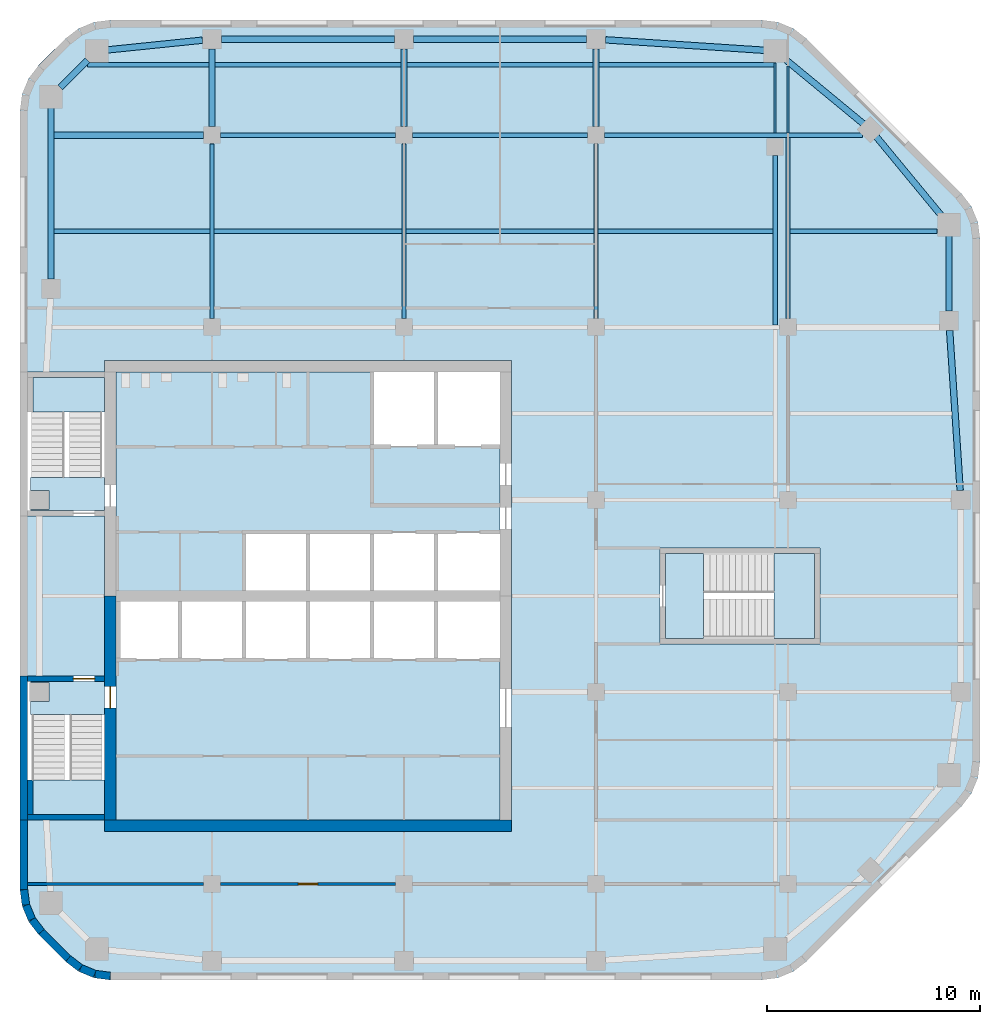
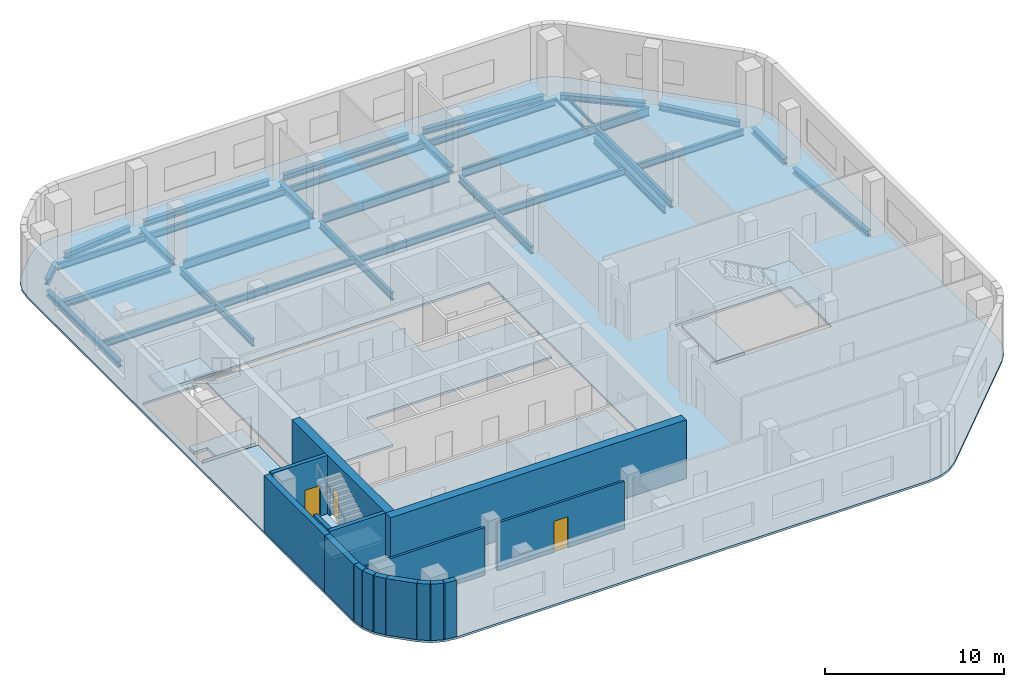
# One storey, part 2 of 8: 33 beams, 16 walls, 9 slabs, 3 doors, 3 openings, 3 elements without a shape of their own.
"""IFC4 building model written with IfcOpenShell, lengths in metres."""

from ifc_helpers import new_model, si_unit, direction, frame, frame_2d, origin, origin_2d, place, context, subcontext, project, spatial, polyline, rectangle, i_section, outline, extrude, material, layer, layer_set, material_profile, profile_set, type_object, element, fill, aggregate, save


model = new_model("IFC4")

# Units and contexts
model_context = context("Model", 3, precision=1e-05, world=origin(), true_north=direction((0.0, 1.0)))
body_context = subcontext(model_context, "Body", "Model", "MODEL_VIEW")
ifc_project = project(units=[si_unit("LENGTHUNIT", "METRE"), si_unit("AREAUNIT", "SQUARE_METRE"), si_unit("VOLUMEUNIT", "CUBIC_METRE"), si_unit("PLANEANGLEUNIT", "RADIAN"), si_unit("MASSUNIT", "GRAM", prefix="KILO")], contexts=[model_context])

# Site, building, storey
site_placement = place(None, origin())
site = spatial("IfcSite", under=ifc_project, at=site_placement, CompositionType="ELEMENT")
building_placement = place(site_placement, origin())
building = spatial("IfcBuilding", under=site, at=building_placement, Name="Cinnabar Reach Civic Tower", CompositionType="ELEMENT")
storey_placement = place(building_placement, frame((0.0, 0.0, 206.0)))
storey = spatial("IfcBuildingStorey", under=building, at=storey_placement, Name="L49", CompositionType="ELEMENT", Elevation=206.0)

# Beams
ifc_material_1 = material(Name="Steel Q355B", Category="steel")
ifc_material_profile_1 = material_profile(ifc_material_1, i_section(OverallWidth=0.3, OverallDepth=0.39, WebThickness=0.01, FlangeThickness=0.016, FilletRadius=0.013, at=origin_2d()), Name="HM390x300x10x16")
ifc_profile_set_1 = profile_set([ifc_material_profile_1], Name="Steel Q355B")
beam_type_1 = type_object("IfcBeamType", Name="HM390x300x10x16 beam R 180", PredefinedType="BEAM", material=ifc_profile_set_1)
beam_1_placement = place(storey_placement, frame((44.0702, 36.452, -0.345), z_axis=(-0.065709484267, 0.997838796438, 0.0), x_axis=(-0.997838796438, -0.065709484267, 0.0)))
element("IfcBeam", 1, at=beam_1_placement, inside=storey, type_object=beam_type_1, Name="Edge beam T1 L49 9", PredefinedType="BEAM", context=body_context, shape_type="SweptSolid", body=[
    extrude(i_section(OverallWidth=0.3, OverallDepth=0.39, WebThickness=0.01, FlangeThickness=0.016, FilletRadius=0.013, at=origin_2d()), origin(), (0.0, 0.0, 1.0), 7.5103),
])
beam_2_placement = place(storey_placement, frame((43.5469, 44.8501, -0.345), z_axis=(0.0, 1.0, 0.0), x_axis=(-1.0, 0.0, 0.0)))
element("IfcBeam", 2, at=beam_2_placement, inside=storey, type_object=beam_type_1, Name="Edge beam T1 L49 10", PredefinedType="BEAM", context=body_context, shape_type="SweptSolid", body=[
    extrude(i_section(OverallWidth=0.3, OverallDepth=0.39, WebThickness=0.01, FlangeThickness=0.016, FilletRadius=0.013, at=origin_2d()), origin(), (0.0, 0.0, 1.0), 3.616),
])
for number, where, z_axis, x_axis, name in (
    (3, (43.1906, 49.3301, -0.345), (-0.63630880182, 0.771434448755, 0.0), (-0.771434448755, -0.63630880182, 0.0), "Edge beam T1 L49 11"),
    (4, (39.5598, 53.6142, -0.345), (-0.771434448755, 0.63630880182, 0.0), (-0.63630880182, -0.771434448755, 0.0), "Edge beam T1 L49 12"),
):
    element("IfcBeam", number, at=place(storey_placement, frame(where, z_axis=z_axis, x_axis=x_axis)), inside=storey, type_object=beam_type_1, Name=name, PredefinedType="BEAM", context=body_context, shape_type="SweptSolid", body=[
        extrude(i_section(OverallWidth=0.3, OverallDepth=0.39, WebThickness=0.01, FlangeThickness=0.016, FilletRadius=0.013, at=origin_2d()), origin(), (0.0, 0.0, 1.0), 4.8348),
    ])
beam_3_placement = place(storey_placement, frame((34.9661, 57.0754, -0.345), z_axis=(-0.99783894477, 0.065707231721, 0.0), x_axis=(-0.065707231721, -0.99783894477, 0.0)))
element("IfcBeam", 5, at=beam_3_placement, inside=storey, type_object=beam_type_1, Name="Edge beam T1 L49 13", PredefinedType="BEAM", context=body_context, shape_type="SweptSolid", body=[
    extrude(i_section(OverallWidth=0.3, OverallDepth=0.39, WebThickness=0.01, FlangeThickness=0.016, FilletRadius=0.013, at=origin_2d()), origin(), (0.0, 0.0, 1.0), 7.5304),
])
for number, where, z_axis, x_axis, name in (
    (6, (26.548, 57.6, -0.345), (-1.0, 0.0, 0.0), (0.0, -1.0, 0.0), "Edge beam T1 L49 14"),
    (7, (17.548, 57.6, -0.345), (-1.0, 0.0, 0.0), (0.0, -1.0, 0.0), "Edge beam T1 L49 15"),
):
    element("IfcBeam", number, at=place(storey_placement, frame(where, z_axis=z_axis, x_axis=x_axis)), inside=storey, type_object=beam_type_1, Name=name, PredefinedType="BEAM", context=body_context, shape_type="SweptSolid", body=[
        extrude(i_section(OverallWidth=0.3, OverallDepth=0.39, WebThickness=0.01, FlangeThickness=0.016, FilletRadius=0.013, at=origin_2d()), origin(), (0.0, 0.0, 1.0), 8.096),
    ])
beam_4_placement = place(storey_placement, frame((8.548, 57.5537, -0.345), z_axis=(-0.994792272495, -0.101923179821, 0.0), x_axis=(0.101923179821, -0.994792272495, 0.0)))
element("IfcBeam", 8, at=beam_4_placement, inside=storey, type_object=beam_type_1, Name="Edge beam T1 L49 16", PredefinedType="BEAM", context=body_context, shape_type="SweptSolid", body=[
    extrude(i_section(OverallWidth=0.3, OverallDepth=0.39, WebThickness=0.01, FlangeThickness=0.016, FilletRadius=0.013, at=origin_2d()), origin(), (0.0, 0.0, 1.0), 4.5377),
])
beam_5_placement = place(storey_placement, frame((3.1699, 56.6149, -0.345), z_axis=(-0.707106781187, -0.707106781187, 0.0), x_axis=(0.707106781187, -0.707106781187, 0.0)))
element("IfcBeam", 9, at=beam_5_placement, inside=storey, type_object=beam_type_1, Name="Edge beam T1 L49 17", PredefinedType="BEAM", context=body_context, shape_type="SweptSolid", body=[
    extrude(i_section(OverallWidth=0.3, OverallDepth=0.39, WebThickness=0.01, FlangeThickness=0.016, FilletRadius=0.013, at=origin_2d()), origin(), (0.0, 0.0, 1.0), 1.817),
])
beam_6_placement = place(storey_placement, frame((1.4531, 54.4661, -0.345), z_axis=(0.0, -1.0, 0.0), x_axis=(1.0, 0.0, 0.0)))
element("IfcBeam", 10, at=beam_6_placement, inside=storey, type_object=beam_type_1, Name="Edge beam T1 L49 18", PredefinedType="BEAM", context=body_context, shape_type="SweptSolid", body=[
    extrude(i_section(OverallWidth=0.3, OverallDepth=0.39, WebThickness=0.01, FlangeThickness=0.016, FilletRadius=0.013, at=origin_2d()), origin(), (0.0, 0.0, 1.0), 8.116),
])
ifc_material_profile_2 = material_profile(ifc_material_1, i_section(OverallWidth=0.3, OverallDepth=0.44, WebThickness=0.011, FlangeThickness=0.018, FilletRadius=0.016, at=origin_2d()), Name="HM440x300x11x18")
ifc_profile_set_2 = profile_set([ifc_material_profile_2], Name="Steel Q355B")
beam_type_2 = type_object("IfcBeamType", Name="HM440x300x11x18 beam R 180", PredefinedType="BEAM", material=ifc_profile_set_2)
beam_7_placement = place(storey_placement, frame((1.6051, 53.1, -0.37), z_axis=(1.0, 0.0, 0.0), x_axis=(0.0, 1.0, 0.0)))
element("IfcBeam", 11, at=beam_7_placement, inside=storey, type_object=beam_type_2, Name="Girder T1 L49 17", PredefinedType="BEAM", context=body_context, shape_type="SweptSolid", body=[
    extrude(i_section(OverallWidth=0.3, OverallDepth=0.44, WebThickness=0.011, FlangeThickness=0.018, FilletRadius=0.016, at=origin_2d()), origin(), (0.0, 0.0, 1.0), 6.9929),
])
for number, where, z_axis, x_axis, name in (
    (12, (9.0, 53.502, -0.37), (0.0, 1.0, 0.0), (-1.0, 0.0, 0.0), "Girder T1 L49 5"),
    (13, (18.0, 53.502, -0.37), (0.0, 1.0, 0.0), (-1.0, 0.0, 0.0), "Girder T1 L49 10"),
    (14, (27.0, 53.502, -0.37), (0.0, 1.0, 0.0), (-1.0, 0.0, 0.0), "Girder T1 L49 16"),
):
    element("IfcBeam", number, at=place(storey_placement, frame(where, z_axis=z_axis, x_axis=x_axis)), inside=storey, type_object=beam_type_2, Name=name, PredefinedType="BEAM", context=body_context, shape_type="SweptSolid", body=[
        extrude(i_section(OverallWidth=0.3, OverallDepth=0.44, WebThickness=0.011, FlangeThickness=0.018, FilletRadius=0.016, at=origin_2d()), origin(), (0.0, 0.0, 1.0), 3.646),
    ])
ifc_material_profile_3 = material_profile(ifc_material_1, i_section(OverallWidth=0.099, OverallDepth=0.198, WebThickness=0.0045, FlangeThickness=0.007, FilletRadius=0.013, at=origin_2d()), Name="HN200x100x5.5x8")
ifc_profile_set_3 = profile_set([ifc_material_profile_3], Name="Steel Q355B")
beam_type_3 = type_object("IfcBeamType", Name="HN200x100x5.5x8 beam R 180", PredefinedType="BEAM", material=ifc_profile_set_3)
beam_8_placement = place(storey_placement, frame((35.3981, 53.2015, -0.249), z_axis=(0.0, 1.0, 0.0), x_axis=(-1.0, 0.0, 0.0)))
element("IfcBeam", 15, at=beam_8_placement, inside=storey, type_object=beam_type_3, Name="Girder T1 L49 23", PredefinedType="BEAM", context=body_context, shape_type="SweptSolid", body=[
    extrude(i_section(OverallWidth=0.099, OverallDepth=0.198, WebThickness=0.0045, FlangeThickness=0.007, FilletRadius=0.013, at=origin_2d()), origin(), (0.0, 0.0, 1.0), 3.2934),
])
beam_9_placement = place(storey_placement, frame((36.0, 53.2015, -0.249), z_axis=(0.0, 1.0, 0.0), x_axis=(-1.0, 0.0, 0.0)))
element("IfcBeam", 16, at=beam_9_placement, inside=storey, type_object=beam_type_3, Name="Girder T1 L49 30", PredefinedType="BEAM", context=body_context, shape_type="SweptSolid", body=[
    extrude(i_section(OverallWidth=0.099, OverallDepth=0.198, WebThickness=0.0045, FlangeThickness=0.007, FilletRadius=0.013, at=origin_2d()), origin(), (0.0, 0.0, 1.0), 3.1519),
])
ifc_material_profile_4 = material_profile(ifc_material_1, i_section(OverallWidth=0.199, OverallDepth=0.446, WebThickness=0.008, FlangeThickness=0.012, FilletRadius=0.016, at=origin_2d()), Name="HN446x199x8x12")
ifc_profile_set_4 = profile_set([ifc_material_profile_4], Name="Steel Q355B")
beam_type_4 = type_object("IfcBeamType", Name="HN446x199x8x12 beam R 180", PredefinedType="BEAM", material=ifc_profile_set_4)
beam_10_placement = place(storey_placement, frame((1.6051, 48.6, -0.373), z_axis=(1.0, 0.0, 0.0), x_axis=(0.0, 1.0, 0.0)))
element("IfcBeam", 17, at=beam_10_placement, inside=storey, type_object=beam_type_4, Name="Secondary beam T1 L49 11", PredefinedType="BEAM", context=body_context, shape_type="SweptSolid", body=[
    extrude(i_section(OverallWidth=0.199, OverallDepth=0.446, WebThickness=0.008, FlangeThickness=0.012, FilletRadius=0.016, at=origin_2d()), origin(), (0.0, 0.0, 1.0), 7.2929),
])
for number, where, z_axis, x_axis, name in (
    (18, (9.102, 48.6, -0.373), (1.0, 0.0, 0.0), (0.0, 1.0, 0.0), "Secondary beam T1 L49 12"),
    (19, (18.102, 48.6, -0.373), (1.0, 0.0, 0.0), (0.0, 1.0, 0.0), "Secondary beam T1 L49 13"),
):
    element("IfcBeam", number, at=place(storey_placement, frame(where, z_axis=z_axis, x_axis=x_axis)), inside=storey, type_object=beam_type_4, Name=name, PredefinedType="BEAM", context=body_context, shape_type="SweptSolid", body=[
        extrude(i_section(OverallWidth=0.199, OverallDepth=0.446, WebThickness=0.008, FlangeThickness=0.012, FilletRadius=0.016, at=origin_2d()), origin(), (0.0, 0.0, 1.0), 8.796),
    ])
beam_11_placement = place(storey_placement, frame((27.102, 48.6, -0.373), z_axis=(1.0, 0.0, 0.0), x_axis=(0.0, 1.0, 0.0)))
element("IfcBeam", 20, at=beam_11_placement, inside=storey, type_object=beam_type_4, Name="Secondary beam T1 L49 14", PredefinedType="BEAM", context=body_context, shape_type="SweptSolid", body=[
    extrude(i_section(OverallWidth=0.199, OverallDepth=0.446, WebThickness=0.008, FlangeThickness=0.012, FilletRadius=0.016, at=origin_2d()), origin(), (0.0, 0.0, 1.0), 8.1941),
])
beam_12_placement = place(storey_placement, frame((36.102, 48.6, -0.373), z_axis=(1.0, 0.0, 0.0), x_axis=(0.0, 1.0, 0.0)))
element("IfcBeam", 21, at=beam_12_placement, inside=storey, type_object=beam_type_4, Name="Secondary beam T1 L49 15", PredefinedType="BEAM", context=body_context, shape_type="SweptSolid", body=[
    extrude(i_section(OverallWidth=0.199, OverallDepth=0.446, WebThickness=0.008, FlangeThickness=0.012, FilletRadius=0.016, at=origin_2d()), origin(), (0.0, 0.0, 1.0), 6.8929),
])
beam_13_placement = place(storey_placement, frame((3.17, 56.4, -0.373), z_axis=(1.0, 0.0, 0.0), x_axis=(0.0, 1.0, 0.0)))
element("IfcBeam", 22, at=beam_13_placement, inside=storey, type_object=beam_type_4, Name="Secondary beam T1 L49 16", PredefinedType="BEAM", context=body_context, shape_type="SweptSolid", body=[
    extrude(i_section(OverallWidth=0.199, OverallDepth=0.446, WebThickness=0.008, FlangeThickness=0.012, FilletRadius=0.016, at=origin_2d()), origin(), (0.0, 0.0, 1.0), 5.678),
])
for number, where, z_axis, x_axis, name in (
    (23, (9.152, 56.4, -0.373), (1.0, 0.0, 0.0), (0.0, 1.0, 0.0), "Secondary beam T1 L49 17"),
    (24, (18.152, 56.4, -0.373), (1.0, 0.0, 0.0), (0.0, 1.0, 0.0), "Secondary beam T1 L49 18"),
):
    element("IfcBeam", number, at=place(storey_placement, frame(where, z_axis=z_axis, x_axis=x_axis)), inside=storey, type_object=beam_type_4, Name=name, PredefinedType="BEAM", context=body_context, shape_type="SweptSolid", body=[
        extrude(i_section(OverallWidth=0.199, OverallDepth=0.446, WebThickness=0.008, FlangeThickness=0.012, FilletRadius=0.016, at=origin_2d()), origin(), (0.0, 0.0, 1.0), 8.696),
    ])
beam_14_placement = place(storey_placement, frame((27.152, 56.4, -0.373), z_axis=(1.0, 0.0, 0.0), x_axis=(0.0, 1.0, 0.0)))
element("IfcBeam", 25, at=beam_14_placement, inside=storey, type_object=beam_type_4, Name="Secondary beam T1 L49 19", PredefinedType="BEAM", context=body_context, shape_type="SweptSolid", body=[
    extrude(i_section(OverallWidth=0.199, OverallDepth=0.446, WebThickness=0.008, FlangeThickness=0.012, FilletRadius=0.016, at=origin_2d()), origin(), (0.0, 0.0, 1.0), 8.1946),
])
ifc_material_profile_5 = material_profile(ifc_material_1, i_section(OverallWidth=0.2, OverallDepth=0.5, WebThickness=0.01, FlangeThickness=0.016, FilletRadius=0.016, at=origin_2d()), Name="HN500x200x10x16")
ifc_profile_set_5 = profile_set([ifc_material_profile_5], Name="Steel Q355B")
beam_type_5 = type_object("IfcBeamType", Name="HN500x200x10x16 beam R 180", PredefinedType="BEAM", material=ifc_profile_set_5)
for number, where, z_axis, x_axis, name in (
    (26, (9.0, 44.502, -0.4), (0.0, 1.0, 0.0), (-1.0, 0.0, 0.0), "Girder T1 L49 4"),
    (27, (18.0, 44.502, -0.4), (0.0, 1.0, 0.0), (-1.0, 0.0, 0.0), "Girder T1 L49 9"),
    (28, (27.0, 44.502, -0.4), (0.0, 1.0, 0.0), (-1.0, 0.0, 0.0), "Girder T1 L49 15"),
):
    element("IfcBeam", number, at=place(storey_placement, frame(where, z_axis=z_axis, x_axis=x_axis)), inside=storey, type_object=beam_type_5, Name=name, PredefinedType="BEAM", context=body_context, shape_type="SweptSolid", body=[
        extrude(i_section(OverallWidth=0.2, OverallDepth=0.5, WebThickness=0.01, FlangeThickness=0.016, FilletRadius=0.016, at=origin_2d()), origin(), (0.0, 0.0, 1.0), 8.196),
    ])
beam_15_placement = place(storey_placement, frame((35.3981, 44.2015, -0.4), z_axis=(0.0, 1.0, 0.0), x_axis=(-1.0, 0.0, 0.0)))
element("IfcBeam", 29, at=beam_15_placement, inside=storey, type_object=beam_type_5, Name="Girder T1 L49 22", PredefinedType="BEAM", context=body_context, shape_type="SweptSolid", body=[
    extrude(i_section(OverallWidth=0.2, OverallDepth=0.5, WebThickness=0.01, FlangeThickness=0.016, FilletRadius=0.016, at=origin_2d()), origin(), (0.0, 0.0, 1.0), 7.9434),
])
beam_16_placement = place(storey_placement, frame((36.0, 44.502, -0.4), z_axis=(0.0, 1.0, 0.0), x_axis=(-1.0, 0.0, 0.0)))
element("IfcBeam", 30, at=beam_16_placement, inside=storey, type_object=beam_type_5, Name="Girder T1 L49 29", PredefinedType="BEAM", context=body_context, shape_type="SweptSolid", body=[
    extrude(i_section(OverallWidth=0.2, OverallDepth=0.5, WebThickness=0.01, FlangeThickness=0.016, FilletRadius=0.016, at=origin_2d()), origin(), (0.0, 0.0, 1.0), 8.4965),
])
ifc_material_profile_6 = material_profile(ifc_material_1, i_section(OverallWidth=0.199, OverallDepth=0.596, WebThickness=0.01, FlangeThickness=0.015, FilletRadius=0.016, at=origin_2d()), Name="HN596x199x10x15")
ifc_profile_set_6 = profile_set([ifc_material_profile_6], Name="Steel Q355B")
beam_type_6 = type_object("IfcBeamType", Name="HN596x199x10x15 beam R 180", PredefinedType="BEAM", material=ifc_profile_set_6)
for number, where, z_axis, x_axis, name in (
    (31, (9.402, 53.1, -0.448), (1.0, 0.0, 0.0), (0.0, 1.0, 0.0), "Girder T1 L49 18"),
    (32, (18.402, 53.1, -0.448), (1.0, 0.0, 0.0), (0.0, 1.0, 0.0), "Girder T1 L49 19"),
):
    element("IfcBeam", number, at=place(storey_placement, frame(where, z_axis=z_axis, x_axis=x_axis)), inside=storey, type_object=beam_type_6, Name=name, PredefinedType="BEAM", context=body_context, shape_type="SweptSolid", body=[
        extrude(i_section(OverallWidth=0.199, OverallDepth=0.596, WebThickness=0.01, FlangeThickness=0.015, FilletRadius=0.016, at=origin_2d()), origin(), (0.0, 0.0, 1.0), 8.196),
    ])
beam_17_placement = place(storey_placement, frame((27.402, 53.1, -0.448), z_axis=(1.0, 0.0, 0.0), x_axis=(0.0, 1.0, 0.0)))
element("IfcBeam", 33, at=beam_17_placement, inside=storey, type_object=beam_type_6, Name="Girder T1 L49 20", PredefinedType="BEAM", context=body_context, shape_type="SweptSolid", body=[
    extrude(i_section(OverallWidth=0.199, OverallDepth=0.596, WebThickness=0.01, FlangeThickness=0.015, FilletRadius=0.016, at=origin_2d()), origin(), (0.0, 0.0, 1.0), 12.086),
])

# Slab
ifc_material_2 = material(Name="Concrete C40", Category="concrete")
ifc_layer_1 = layer(ifc_material_2, 0.15)
ifc_layer_set_1 = layer_set([ifc_layer_1], Name="Composite floor slab 150 REI 150")
slab_type_1 = type_object("IfcSlabType", Name="Composite floor slab 150 REI 150", PredefinedType="FLOOR", material=ifc_layer_set_1)
slab_1_placement = place(storey_placement, frame((0.0, 0.0, -0.15)))
element("IfcSlab", 34, at=slab_1_placement, inside=storey, type_object=slab_type_1, Name="Composite floor slab 150 T1 L49", PredefinedType="FLOOR", context=body_context, shape_type="SweptSolid", body=[
    extrude(outline(polyline([(0.8787, 15.6213), (0.4019, 16.2426), (0.1022, 16.9662), (0.0, 17.7426), (0.0, 54.2574), (0.1022, 55.0338), (0.4019, 55.7574), (0.8787, 56.3787), (2.1213, 57.6213), (2.7426, 58.0981), (3.4662, 58.3978), (4.2426, 58.5), (34.7574, 58.5), (35.5338, 58.3978), (36.2574, 58.0981), (36.8787, 57.6213), (44.1213, 50.3787), (44.5981, 49.7574), (44.8978, 49.0338), (45.0, 48.2574), (45.0, 23.7426), (44.8978, 22.9662), (44.5981, 22.2426), (44.1213, 21.6213), (36.8787, 14.3787), (36.2574, 13.9019), (35.5338, 13.6022), (34.7574, 13.5), (4.2426, 13.5), (3.4662, 13.6022), (2.7426, 13.9019), (2.1213, 14.3787), (0.8787, 15.6213)]), holes=[polyline([(0.36, 21.0), (3.95, 21.0), (3.95, 20.45), (23.05, 20.45), (23.05, 42.55), (3.95, 42.55), (3.95, 42.0), (0.36, 42.0), (0.36, 35.25), (3.95, 35.25), (3.95, 27.75), (0.36, 27.75), (0.36, 21.0)]), polyline([(30.0, 33.75), (30.0, 29.25), (37.5, 29.25), (37.5, 33.75), (30.0, 33.75)])]), origin(), (0.0, 0.0, 1.0), 0.15),
])

# Stair, slabs
ifc_material_3 = material(Name="Concrete C40/50", Category="concrete")
stair_type = type_object("IfcStairType", Name="T1 Exit stair, half-turn", PredefinedType="HALF_TURN_STAIR", material=ifc_material_3)
stair_1_placement = place(storey_placement, origin())
stair_1 = element("IfcStair", 35, at=stair_1_placement, inside=storey, type_object=stair_type, Name="Stair T1-S1", PredefinedType="HALF_TURN_STAIR")
ifc_layer_2 = layer(ifc_material_3, 0.2)
ifc_layer_set_2 = layer_set([ifc_layer_2], Name="T1 Stair landing 200, Concrete C40/50")
slab_type_2 = type_object("IfcSlabType", Name="T1 Stair landing 200, Concrete C40/50", PredefinedType="LANDING", material=ifc_layer_set_2)
slab_2_placement = place(storey_placement, frame((0.0, 0.0, -0.2)))
slab_2 = element("IfcSlab", 36, at=slab_2_placement, type_object=slab_type_2, Name="T1-S1 landing 1", PredefinedType="LANDING", context=body_context, shape_type="SweptSolid", body=[
    extrude(outline(polyline([(0.5, 27.5), (3.95, 27.5), (3.95, 25.95), (0.5, 25.95), (0.5, 26.55), (1.35, 26.55), (1.35, 27.45), (0.5, 27.45), (0.5, 27.5)])), origin(), (0.0, 0.0, 1.0), 0.2),
])
slab_3_placement = place(storey_placement, frame((0.0, 0.0, 1.8)))
slab_3 = element("IfcSlab", 37, at=slab_3_placement, type_object=slab_type_2, Name="T1-S1 landing 2", PredefinedType="LANDING", context=body_context, shape_type="SweptSolid", body=[
    extrude(outline(polyline([(0.6, 21.25), (0.6, 22.87), (3.95, 22.87), (3.95, 21.25), (0.6, 21.25)])), origin(), (0.0, 0.0, 1.0), 0.2),
])
aggregate(stair_1, [slab_2, slab_3])

stair_2_placement = place(storey_placement, origin())
stair_2 = element("IfcStair", 38, at=stair_2_placement, inside=storey, type_object=stair_type, Name="Stair T1-S2", PredefinedType="HALF_TURN_STAIR")
slab_4_placement = place(storey_placement, frame((0.0, 0.0, -0.2)))
slab_4 = element("IfcSlab", 39, at=slab_4_placement, type_object=slab_type_2, Name="T1-S2 landing 1", PredefinedType="LANDING", context=body_context, shape_type="SweptSolid", body=[
    extrude(outline(polyline([(0.5, 37.05), (3.95, 37.05), (3.95, 35.5), (0.5, 35.5), (0.5, 35.55), (1.35, 35.55), (1.35, 36.45), (0.5, 36.45), (0.5, 37.05)])), origin(), (0.0, 0.0, 1.0), 0.2),
])
slab_5_placement = place(storey_placement, frame((0.0, 0.0, 1.8)))
slab_5 = element("IfcSlab", 40, at=slab_5_placement, type_object=slab_type_2, Name="T1-S2 landing 2", PredefinedType="LANDING", context=body_context, shape_type="SweptSolid", body=[
    extrude(outline(polyline([(0.6, 40.13), (0.6, 41.75), (3.95, 41.75), (3.95, 40.13), (0.6, 40.13)])), origin(), (0.0, 0.0, 1.0), 0.2),
])
aggregate(stair_2, [slab_4, slab_5])

stair_3_placement = place(storey_placement, origin())
stair_3 = element("IfcStair", 41, at=stair_3_placement, inside=storey, type_object=stair_type, Name="Stair T1-S3", PredefinedType="HALF_TURN_STAIR")
slab_6_placement = place(storey_placement, frame((0.0, 0.0, -0.2)))
slab_6 = element("IfcSlab", 42, at=slab_6_placement, type_object=slab_type_2, Name="T1-S3 landing 1", PredefinedType="LANDING", context=body_context, shape_type="SweptSolid", body=[
    extrude(outline(polyline([(30.25, 29.5), (32.05, 29.5), (32.05, 33.5), (30.25, 33.5), (30.25, 29.5)])), origin(), (0.0, 0.0, 1.0), 0.2),
])
slab_7_placement = place(storey_placement, frame((0.0, 0.0, 1.8)))
slab_7 = element("IfcSlab", 43, at=slab_7_placement, type_object=slab_type_2, Name="T1-S3 landing 2", PredefinedType="LANDING", context=body_context, shape_type="SweptSolid", body=[
    extrude(outline(polyline([(35.35, 29.5), (37.25, 29.5), (37.25, 33.5), (35.35, 33.5), (35.35, 29.5)])), origin(), (0.0, 0.0, 1.0), 0.2),
])
aggregate(stair_3, [slab_6, slab_7])

# Slabs
ifc_layer_3 = layer(ifc_material_3, 0.15)
ifc_layer_set_3 = layer_set([ifc_layer_3], Name="T1 core floor slab 150")
slab_type_3 = type_object("IfcSlabType", Name="T1 core floor slab 150", PredefinedType="FLOOR", material=ifc_layer_set_3)
slab_8_placement = place(storey_placement, frame((0.0, 0.0, -0.15)))
element("IfcSlab", 44, at=slab_8_placement, inside=storey, type_object=slab_type_3, Name="Core floor slab L49", PredefinedType="FLOOR", context=body_context, shape_type="SweptSolid", body=[
    extrude(outline(polyline([(22.5, 21.0), (4.5, 21.0), (4.5, 28.5), (7.5, 28.5), (10.5, 28.5), (13.5, 28.5), (16.5, 28.5), (19.5, 28.5), (22.5, 28.5), (22.5, 21.0)])), origin(), (0.0, 0.0, 1.0), 0.15),
])
slab_9_placement = place(storey_placement, frame((0.0, 0.0, -0.15)))
element("IfcSlab", 45, at=slab_9_placement, inside=storey, type_object=slab_type_3, Name="Core floor slab L49", PredefinedType="FLOOR", context=body_context, shape_type="SweptSolid", body=[
    extrude(outline(polyline([(22.5, 34.5), (19.5, 34.5), (16.5, 34.5), (13.5, 34.5), (10.5, 34.5), (10.5, 31.5), (7.5, 31.5), (4.5, 31.5), (4.5, 42.0), (16.5, 42.0), (16.5, 38.5), (19.5, 38.5), (22.5, 38.5), (22.5, 34.5)])), origin(), (0.0, 0.0, 1.0), 0.15),
])

# Walls
ifc_material_4 = material(Name="Facing brick with insulated backing", Category="masonry")
ifc_layer_4 = layer(ifc_material_4, 0.36)
ifc_layer_set_4 = layer_set([ifc_layer_4], Name="Brick corner wall")
wall_type_1 = type_object("IfcWallType", Name="Brick corner wall", PredefinedType="STANDARD", material=ifc_layer_set_4)
for number, where, z_axis, x_axis, name in (
    (46, (0.183, 17.7314, 0.0), (0.0, 0.0, 1.0), (0.13055608231, -0.99144092581, 0.0), "Brick corner wall"),
    (47, (0.2819, 17.0027, 0.0), (0.0, 0.0, 1.0), (0.382702709855, -0.923871547278, 0.0), "Brick corner wall"),
):
    element("IfcWall", number, at=place(storey_placement, frame(where, z_axis=z_axis, x_axis=x_axis)), inside=storey, type_object=wall_type_1, Name=name, PredefinedType="STANDARD", context=body_context, shape_type="SweptSolid", body=[
        extrude(rectangle(XDim=0.7131, YDim=0.36, at=frame_2d((0.3565, 0.0))), origin(), (0.0, 0.0, 1.0), 3.85),
    ])
for number, where, z_axis, x_axis, name in (
    (48, (0.566, 16.3245, 0.0), (0.0, 0.0, 1.0), (0.608802368033, -0.793321924995, 0.0), "Brick corner wall"),
    (49, (2.2587, 14.5002, 0.0), (0.0, 0.0, 1.0), (0.793321924995, -0.608802368033, 0.0), "Brick corner wall"),
):
    element("IfcWall", number, at=place(storey_placement, frame(where, z_axis=z_axis, x_axis=x_axis)), inside=storey, type_object=wall_type_1, Name=name, PredefinedType="STANDARD", context=body_context, shape_type="SweptSolid", body=[
        extrude(rectangle(XDim=0.7132, YDim=0.36, at=frame_2d((0.3566, 0.0))), origin(), (0.0, 0.0, 1.0), 3.85),
    ])
for number, where, z_axis, x_axis, name in (
    (50, (2.8439, 14.0548, 0.0), (0.0, 0.0, 1.0), (0.923871547278, -0.382702709855, 0.0), "Brick corner wall"),
    (51, (3.5244, 13.7761, 0.0), (0.0, 0.0, 1.0), (0.99144092581, -0.13055608231, 0.0), "Brick corner wall"),
):
    element("IfcWall", number, at=place(storey_placement, frame(where, z_axis=z_axis, x_axis=x_axis)), inside=storey, type_object=wall_type_1, Name=name, PredefinedType="STANDARD", context=body_context, shape_type="SweptSolid", body=[
        extrude(rectangle(XDim=0.7131, YDim=0.36, at=frame_2d((0.3565, 0.0))), origin(), (0.0, 0.0, 1.0), 3.85),
    ])
ifc_layer_5 = layer(ifc_material_4, 0.36)
ifc_layer_set_5 = layer_set([ifc_layer_5], Name="Brick pier and spandrel wall")
wall_type_2 = type_object("IfcWallType", Name="Brick pier and spandrel wall", PredefinedType="STANDARD", material=ifc_layer_set_5)
wall_1_placement = place(storey_placement, frame((0.18, 27.75, 0.0), z_axis=(0.0, 0.0, 1.0), x_axis=(0.0, -1.0, 0.0)))
element("IfcWall", 52, at=wall_1_placement, inside=storey, type_object=wall_type_2, Name="Brick facade wall", PredefinedType="STANDARD", context=body_context, shape_type="SweptSolid", body=[
    extrude(rectangle(XDim=6.75, YDim=0.36, at=frame_2d((3.375, 0.0))), origin(), (0.0, 0.0, 1.0), 3.85),
])
wall_2_placement = place(storey_placement, frame((0.18, 21.0, 0.0), z_axis=(0.0, 0.0, 1.0), x_axis=(0.0, -1.0, 0.0)))
element("IfcWall", 53, at=wall_2_placement, inside=storey, type_object=wall_type_2, Name="Brick facade wall", PredefinedType="STANDARD", context=body_context, shape_type="SweptSolid", body=[
    extrude(rectangle(XDim=3.2574, YDim=0.36, at=frame_2d((1.6287, 0.0))), origin(), (0.0, 0.0, 1.0), 3.85),
])
wall_3_placement = place(storey_placement, frame((1.006, 15.7486, 0.0), z_axis=(0.0, 0.0, 1.0), x_axis=(0.707106781187, -0.707106781187, 0.0)))
element("IfcWall", 54, at=wall_3_placement, inside=storey, type_object=wall_type_2, Name="Brick facade wall", PredefinedType="STANDARD", context=body_context, shape_type="SweptSolid", body=[
    extrude(rectangle(XDim=1.7573, YDim=0.36, at=frame_2d((0.8787, 0.0))), origin(), (0.0, 0.0, 1.0), 3.85),
])
ifc_material_5 = material(Name="Concrete C60", Category="concrete")
ifc_layer_6 = layer(ifc_material_5, 0.55)
ifc_layer_set_6 = layer_set([ifc_layer_6], Name="Core wall 550 EI 180")
wall_type_3 = type_object("IfcWallType", Name="Core wall 550 EI 180", PredefinedType="SOLIDWALL", material=ifc_layer_set_6)
wall_4_placement = place(storey_placement, frame((3.95, 20.725, 0.0), z_axis=(0.0, 0.0, 1.0), x_axis=(1.0, 0.0, 0.0)))
element("IfcWall", 55, at=wall_4_placement, inside=storey, type_object=wall_type_3, Name="Core wall T1 L49 S", PredefinedType="SOLIDWALL", context=body_context, shape_type="SweptSolid", body=[
    extrude(rectangle(XDim=19.1, YDim=0.55, at=frame_2d((9.55, 0.0))), origin(), (0.0, 0.0, 1.0), 4.0),
])

# Wall, opening, door
wall_5_placement = place(storey_placement, frame((4.225, 31.5, 0.0), z_axis=(0.0, 0.0, 1.0), x_axis=(0.0, -1.0, 0.0)))
wall_5 = element("IfcWall", 56, at=wall_5_placement, inside=storey, type_object=wall_type_3, Name="Core wall T1 L49 W2", PredefinedType="SOLIDWALL", context=body_context, shape_type="SweptSolid", body=[
    extrude(rectangle(XDim=10.5, YDim=0.55, at=frame_2d((5.25, 0.0))), origin(), (0.0, 0.0, 1.0), 4.0),
])
opening_1_placement = place(wall_5_placement, frame((4.25, 0.0, 0.0)))
opening_1 = element("IfcOpeningElement", 57, at=opening_1_placement, cuts=wall_5, Name="Opening D4993", PredefinedType="OPENING", context=body_context, shape_type="SweptSolid", body=[
    extrude(rectangle(XDim=1.0, YDim=2.1, at=frame_2d((0.5, 1.05))), frame((0.0, 0.285, 0.0), z_axis=(0.0, -1.0, 0.0), x_axis=(1.0, 0.0, 0.0)), (0.0, 0.0, 1.0), 0.57),
])
ifc_material_6 = material(Name="Timber door leaf in steel frame", Category="steel")
door_type_1 = type_object("IfcDoorType", Name="Stair door 1000 x 2100 T1", OperationType="SINGLE_SWING_LEFT", PredefinedType="DOOR", material=ifc_material_6)
door_1_placement = place(opening_1_placement, frame((1.0, 0.0, 0.0), z_axis=(0.0, 0.0, 1.0), x_axis=(-1.0, 0.0, 0.0)))
door_1 = element("IfcDoor", 58, at=door_1_placement, inside=storey, type_object=door_type_1, Name="Door D4993", OperationType="SINGLE_SWING_RIGHT", OverallHeight=2.1, OverallWidth=1.0, PredefinedType="DOOR", context=body_context, shape_type="SweptSolid", body=[
    extrude(rectangle(XDim=1.0, YDim=2.1, at=frame_2d((0.5, 1.05))), frame((0.0, 0.025, 0.0), z_axis=(0.0, -1.0, 0.0), x_axis=(1.0, 0.0, 0.0)), (0.0, 0.0, 1.0), 0.05),
])
fill(opening_1, door_1)

ifc_material_7 = material(Name="Gypsum board on steel studs, double layer", Category="steel")
ifc_layer_7 = layer(ifc_material_7, 0.15)
ifc_layer_set_7 = layer_set([ifc_layer_7], Name="Corridor wall 150 T1")
wall_type_4 = type_object("IfcWallType", Name="Corridor wall 150 T1", PredefinedType="PARTITIONING", material=ifc_layer_set_7)
wall_6_placement = place(storey_placement, frame((9.4, 18.0, 0.0), z_axis=(0.0, 0.0, 1.0), x_axis=(1.0, 0.0, 0.0)))
wall_6 = element("IfcWall", 59, at=wall_6_placement, inside=storey, type_object=wall_type_4, Name="Corridor wall 21", PredefinedType="PARTITIONING", context=body_context, shape_type="SweptSolid", body=[
    extrude(rectangle(XDim=8.2, YDim=0.15, at=frame_2d((4.1, 0.0))), origin(), (0.0, 0.0, 1.0), 3.254),
])
opening_2_placement = place(wall_6_placement, frame((3.65, 0.0, 0.0)))
opening_2 = element("IfcOpeningElement", 60, at=opening_2_placement, cuts=wall_6, Name="Opening D5025", PredefinedType="OPENING", context=body_context, shape_type="SweptSolid", body=[
    extrude(rectangle(XDim=0.9, YDim=2.1, at=frame_2d((0.45, 1.05))), frame((0.0, 0.085, 0.0), z_axis=(0.0, -1.0, 0.0), x_axis=(1.0, 0.0, 0.0)), (0.0, 0.0, 1.0), 0.17),
])
door_type_2 = type_object("IfcDoorType", Name="Single swing door 900 x 2100 corridor T1", OperationType="SINGLE_SWING_LEFT", PredefinedType="DOOR", material=ifc_material_6)
door_2_placement = place(opening_2_placement, frame((0.9, 0.0, 0.0), z_axis=(0.0, 0.0, 1.0), x_axis=(-1.0, 0.0, 0.0)))
door_2 = element("IfcDoor", 61, at=door_2_placement, inside=storey, type_object=door_type_2, Name="Door D5025", OperationType="SINGLE_SWING_RIGHT", OverallHeight=2.1, OverallWidth=0.9, PredefinedType="DOOR", context=body_context, shape_type="SweptSolid", body=[
    extrude(rectangle(XDim=0.9, YDim=2.1, at=frame_2d((0.45, 1.05))), frame((0.0, 0.025, 0.0), z_axis=(0.0, -1.0, 0.0), x_axis=(1.0, 0.0, 0.0)), (0.0, 0.0, 1.0), 0.05),
])
fill(opening_2, door_2)

# Walls
wall_7_placement = place(storey_placement, frame((0.36, 18.0, 0.0), z_axis=(0.0, 0.0, 1.0), x_axis=(1.0, 0.0, 0.0)))
element("IfcWall", 62, at=wall_7_placement, inside=storey, type_object=wall_type_4, Name="Corridor wall 22", PredefinedType="PARTITIONING", context=body_context, shape_type="SweptSolid", body=[
    extrude(rectangle(XDim=8.24, YDim=0.15, at=frame_2d((4.12, 0.0))), origin(), (0.0, 0.0, 1.0), 3.254),
])
ifc_layer_8 = layer(ifc_material_5, 0.25)
ifc_layer_set_8 = layer_set([ifc_layer_8], Name="Stair shaft wall 250 EI 120")
wall_type_5 = type_object("IfcWallType", Name="Stair shaft wall 250 EI 120", PredefinedType="SOLIDWALL", material=ifc_layer_set_8)
wall_8_placement = place(storey_placement, frame((0.36, 21.125, 0.0), z_axis=(0.0, 0.0, 1.0), x_axis=(1.0, 0.0, 0.0)))
element("IfcWall", 63, at=wall_8_placement, inside=storey, type_object=wall_type_5, Name="Stair shaft wall T1-S1 L49", PredefinedType="SOLIDWALL", context=body_context, shape_type="SweptSolid", body=[
    extrude(rectangle(XDim=3.59, YDim=0.25, at=frame_2d((1.795, 0.0))), origin(), (0.0, 0.0, 1.0), 4.0),
])

# Wall, opening, door
wall_9_placement = place(storey_placement, frame((3.95, 27.625, 0.0), z_axis=(0.0, 0.0, 1.0), x_axis=(-1.0, 0.0, 0.0)))
wall_9 = element("IfcWall", 64, at=wall_9_placement, inside=storey, type_object=wall_type_5, Name="Stair shaft wall T1-S1 L49", PredefinedType="SOLIDWALL", context=body_context, shape_type="SweptSolid", body=[
    extrude(rectangle(XDim=3.59, YDim=0.25, at=frame_2d((1.795, 0.0))), origin(), (0.0, 0.0, 1.0), 4.0),
])
opening_3_placement = place(wall_9_placement, frame((0.45, 0.0, 0.0)))
opening_3 = element("IfcOpeningElement", 65, at=opening_3_placement, cuts=wall_9, Name="Opening D4994", PredefinedType="OPENING", context=body_context, shape_type="SweptSolid", body=[
    extrude(rectangle(XDim=1.0, YDim=2.1, at=frame_2d((0.5, 1.05))), frame((0.0, 0.135, 0.0), z_axis=(0.0, -1.0, 0.0), x_axis=(1.0, 0.0, 0.0)), (0.0, 0.0, 1.0), 0.27),
])
door_3_placement = place(opening_3_placement, origin())
door_3 = element("IfcDoor", 66, at=door_3_placement, inside=storey, type_object=door_type_1, Name="Door D4994", OperationType="SINGLE_SWING_LEFT", OverallHeight=2.1, OverallWidth=1.0, PredefinedType="DOOR", context=body_context, shape_type="SweptSolid", body=[
    extrude(rectangle(XDim=1.0, YDim=2.1, at=frame_2d((0.5, 1.05))), frame((0.0, 0.025, 0.0), z_axis=(0.0, -1.0, 0.0), x_axis=(1.0, 0.0, 0.0)), (0.0, 0.0, 1.0), 0.05),
])
fill(opening_3, door_3)

# Wall
ifc_layer_9 = layer(ifc_material_3, 0.24)
ifc_layer_set_9 = layer_set([ifc_layer_9], Name="T1 landing bearer wall 240")
wall_type_6 = type_object("IfcWallType", Name="T1 landing bearer wall 240", PredefinedType="STANDARD", material=ifc_layer_set_9)
wall_10_placement = place(storey_placement, frame((0.48, 21.25, 0.0), z_axis=(0.0, 0.0, 1.0), x_axis=(0.0, 1.0, 0.0)))
element("IfcWall", 67, at=wall_10_placement, inside=storey, type_object=wall_type_6, Name="T1-S1 landing bearer wall", PredefinedType="STANDARD", context=body_context, shape_type="SweptSolid", body=[
    extrude(rectangle(XDim=1.62, YDim=0.24, at=frame_2d((0.81, 0.0))), origin(), (0.0, 0.0, 1.0), 4.0),
])

save(model, "model.ifc")
